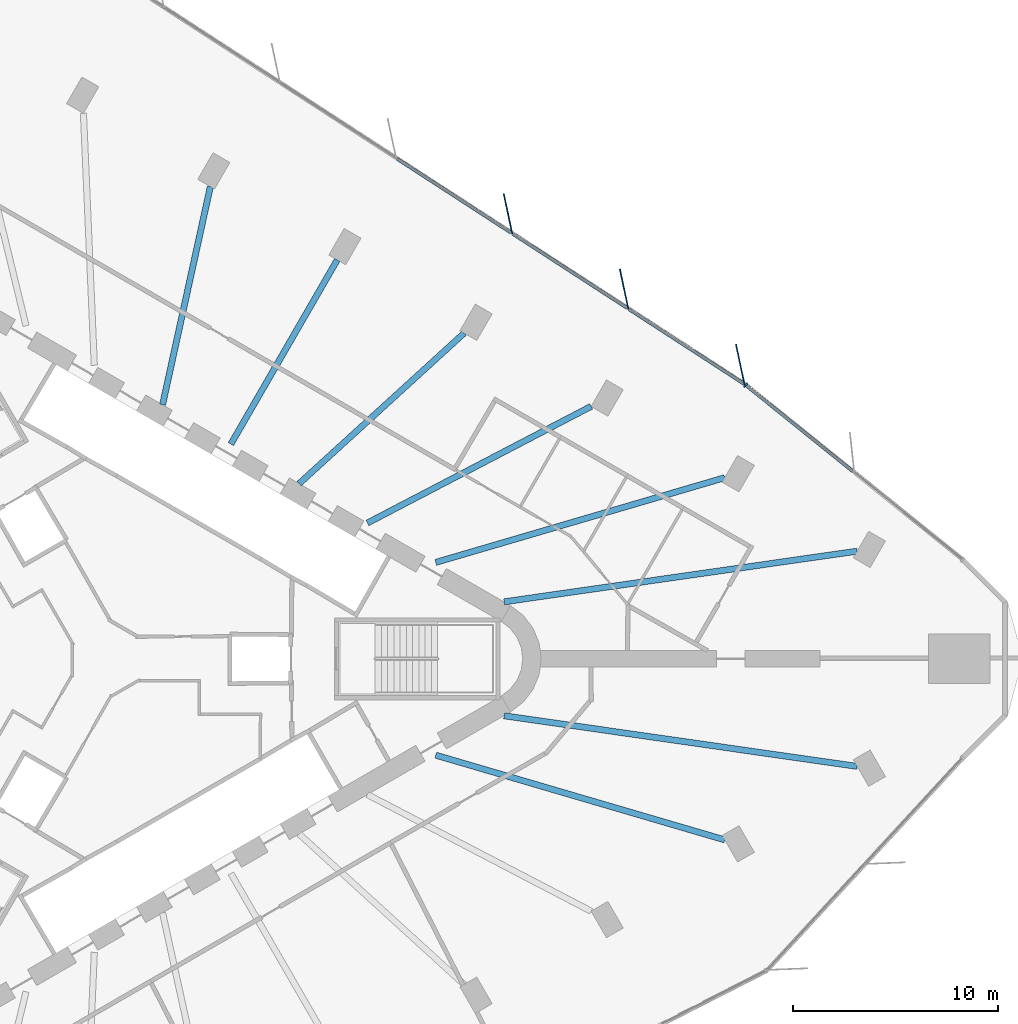
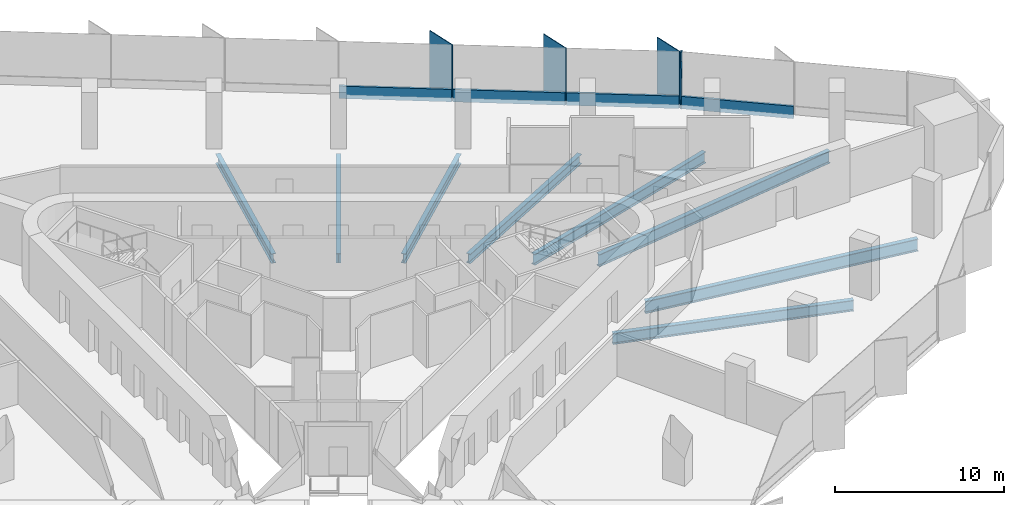
# One storey, part 5 of 14: 8 beams, 8 members, 2 elements without a shape of their own.
"""IFC4 building model written with IfcOpenShell, lengths in metres."""

from ifc_helpers import new_model, si_unit, direction, frame, origin, origin_2d, place, context, subcontext, project, spatial, rectangle, i_section, extrude, material, material_profile, profile_set, type_object, element, aggregate, save


model = new_model("IFC4")

# Units and contexts
model_context = context("Model", 3, precision=1e-05, world=origin(), true_north=direction((0.0, 1.0)))
body_context = subcontext(model_context, "Body", "Model", "MODEL_VIEW")
ifc_project = project(units=[si_unit("LENGTHUNIT", "METRE"), si_unit("AREAUNIT", "SQUARE_METRE"), si_unit("VOLUMEUNIT", "CUBIC_METRE"), si_unit("PLANEANGLEUNIT", "RADIAN"), si_unit("MASSUNIT", "GRAM", prefix="KILO")], contexts=[model_context])

# Site, building, storey
site_placement = place(None, origin())
site = spatial("IfcSite", under=ifc_project, at=site_placement, CompositionType="ELEMENT")
building_placement = place(site_placement, origin())
building = spatial("IfcBuilding", under=site, at=building_placement, Name="Tanit Gate Tower", CompositionType="ELEMENT")
storey_placement = place(building_placement, frame((0.0, 0.0, 78.300048828125)))
storey = spatial("IfcBuildingStorey", under=building, at=storey_placement, Name="L15", CompositionType="ELEMENT", Elevation=78.300048828125)

# Curtain wall, members
ifc_material_1 = material(Name="Aluminium bronze anodised and glass", Category="aluminium")
curtain_wall_type = type_object("IfcCurtainWallType", Name="Curtain wall typical low", PredefinedType="NOTDEFINED", material=ifc_material_1)
curtain_wall_1_placement = place(storey_placement, origin())
curtain_wall_1 = element("IfcCurtainWall", 1, at=curtain_wall_1_placement, inside=storey, type_object=curtain_wall_type, Name="Curtain wall L15 NE2", PredefinedType="NOTDEFINED")
ifc_material_2 = material(Name="Aluminium bronze anodised", Category="aluminium")
ifc_material_profile_1 = material_profile(ifc_material_2, rectangle(XDim=2.0, YDim=0.055908203125, at=origin_2d()), Name="56x2000 bronze fin mullion")
ifc_profile_set_1 = profile_set([ifc_material_profile_1], Name="Aluminium bronze anodised")
member_type_1 = type_object("IfcMemberType", Name="FIN MULLION 56x2000 bronze", PredefinedType="MULLION", material=ifc_profile_set_1)
member_1_placement = place(storey_placement, frame((30.916748046875, 14.369384765625, -0.300048828125), z_axis=(0.0, 0.0, 1.0), x_axis=(0.208373118697, -0.978049407445, 0.0)))
member_1 = element("IfcMember", 2, at=member_1_placement, type_object=member_type_1, Name="Fin mullion L15 NE2.1", PredefinedType="MULLION", context=body_context, shape_type="SweptSolid", body=[
    extrude(rectangle(XDim=2.0, YDim=0.055908203125, at=origin_2d()), origin(), (0.0, 0.0, 1.0), 4.10009765625),
])
member_2_placement = place(storey_placement, frame((25.248291015625, 18.046875, -0.300048828125), z_axis=(0.0, 0.0, 1.0), x_axis=(0.208373118697, -0.978049407445, 0.0)))
member_2 = element("IfcMember", 3, at=member_2_placement, type_object=member_type_1, Name="Fin mullion L15 NE2.2", PredefinedType="MULLION", context=body_context, shape_type="SweptSolid", body=[
    extrude(rectangle(XDim=2.0, YDim=0.055908203125, at=origin_2d()), origin(), (0.0, 0.0, 1.0), 4.10009765625),
])
member_3_placement = place(storey_placement, frame((19.579833984375, 21.72412109375, -0.300048828125), z_axis=(0.0, 0.0, 1.0), x_axis=(0.208373118697, -0.978049407445, 0.0)))
member_3 = element("IfcMember", 4, at=member_3_placement, type_object=member_type_1, Name="Fin mullion L15 NE2.3", PredefinedType="MULLION", context=body_context, shape_type="SweptSolid", body=[
    extrude(rectangle(XDim=2.0, YDim=0.055908203125, at=origin_2d()), origin(), (0.0, 0.0, 1.0), 4.10009765625),
])

# Curtain wall, member
curtain_wall_2_placement = place(storey_placement, origin())
curtain_wall_2 = element("IfcCurtainWall", 5, at=curtain_wall_2_placement, inside=storey, type_object=curtain_wall_type, Name="Curtain wall L15 NE1", PredefinedType="NOTDEFINED")
ifc_material_3 = material(Name="Aluminium bronze anodised", Category="aluminium")
ifc_material_profile_2 = material_profile(ifc_material_3, rectangle(XDim=0.239990234375, YDim=0.080078125, at=origin_2d()), Name="80x240 bronze mullion")
ifc_profile_set_2 = profile_set([ifc_material_profile_2], Name="Aluminium bronze anodised")
member_type_2 = type_object("IfcMemberType", Name="Mullion 80x240 typical low", PredefinedType="MULLION", material=ifc_profile_set_2)
member_4_placement = place(storey_placement, frame((31.18505859375, 13.36669921875, -0.300048828125), z_axis=(0.0, 0.0, 1.0), x_axis=(-0.627373717925, -0.77871831753, 0.0)))
member_4 = element("IfcMember", 6, at=member_4_placement, type_object=member_type_2, Name="Mullion L15 NE1.3", PredefinedType="MULLION", context=body_context, shape_type="SweptSolid", body=[
    extrude(rectangle(XDim=0.239990234375, YDim=0.080078125, at=origin_2d()), origin(), (0.0, 0.0, 1.0), 4.10009765625),
])

# Beams
ifc_material_4 = material(Name="Steel S355", Category="steel")
ifc_material_profile_3 = material_profile(ifc_material_4, i_section(OverallWidth=0.300048828125, OverallDepth=0.68994140625, WebThickness=0.014404296875, FlangeThickness=0.027099609375, FilletRadius=0.027099609375, at=origin_2d()), Name="HEA 700")
ifc_profile_set_3 = profile_set([ifc_material_profile_3], Name="Steel S355")
beam_type_1 = type_object("IfcBeamType", Name="RADIAL GIRDER HEA 700 S355", PredefinedType="BEAM", material=ifc_profile_set_3)
beam_1_placement = place(storey_placement, frame((23.635498046875, 12.322021484375, -0.64501953125), z_axis=(-0.886731546417, -0.462284722426, 0.0), x_axis=(0.462284722426, -0.886731546417, 0.0)))
element("IfcBeam", 7, at=beam_1_placement, inside=storey, type_object=beam_type_1, Name="RADIAL GIRDER", PredefinedType="BEAM", context=body_context, shape_type="SweptSolid", body=[
    extrude(i_section(OverallWidth=0.300048828125, OverallDepth=0.68994140625, WebThickness=0.014404296875, FlangeThickness=0.027099609375, FilletRadius=0.027099609375, at=origin_2d()), origin(), (0.0, 0.0, 1.0), 12.31103515625),
])
beam_2_placement = place(storey_placement, frame((17.4375, 15.896728515625, -0.64501953125), z_axis=(-0.73900866501, -0.673695920308, 0.0), x_axis=(0.673695920308, -0.73900866501, 0.0)))
element("IfcBeam", 8, at=beam_2_placement, inside=storey, type_object=beam_type_1, Name="RADIAL GIRDER", PredefinedType="BEAM", context=body_context, shape_type="SweptSolid", body=[
    extrude(i_section(OverallWidth=0.300048828125, OverallDepth=0.68994140625, WebThickness=0.014404296875, FlangeThickness=0.027099609375, FilletRadius=0.027099609375, at=origin_2d()), origin(), (0.0, 0.0, 1.0), 10.896240234375),
])
beam_3_placement = place(storey_placement, frame((11.242919921875, 19.47314453125, -0.64501953125), z_axis=(-0.50000806818, -0.866020745569, 0.0), x_axis=(0.866020745569, -0.50000806818, 0.0)))
element("IfcBeam", 9, at=beam_3_placement, inside=storey, type_object=beam_type_1, Name="RADIAL GIRDER", PredefinedType="BEAM", context=body_context, shape_type="SweptSolid", body=[
    extrude(i_section(OverallWidth=0.300048828125, OverallDepth=0.68994140625, WebThickness=0.014404296875, FlangeThickness=0.027099609375, FilletRadius=0.027099609375, at=origin_2d()), origin(), (0.0, 0.0, 1.0), 10.383544921875),
])
beam_4_placement = place(storey_placement, frame((5.04833984375, 23.049560546875, -0.64501953125), z_axis=(-0.213952125378, -0.976844147265, 0.0), x_axis=(0.976844147265, -0.213952125378, 0.0)))
element("IfcBeam", 10, at=beam_4_placement, inside=storey, type_object=beam_type_1, Name="RADIAL GIRDER", PredefinedType="BEAM", context=body_context, shape_type="SweptSolid", body=[
    extrude(i_section(OverallWidth=0.300048828125, OverallDepth=0.68994140625, WebThickness=0.014404296875, FlangeThickness=0.027099609375, FilletRadius=0.027099609375, at=origin_2d()), origin(), (0.0, 0.0, 1.0), 10.896240234375),
])
ifc_material_5 = material(Name="Steel S355", Category="steel")
ifc_material_profile_4 = material_profile(ifc_material_5, i_section(OverallWidth=0.300048828125, OverallDepth=0.7900390625, WebThickness=0.014892578125, FlangeThickness=0.028076171875, FilletRadius=0.030029296875, at=origin_2d()), Name="HEA 800")
ifc_profile_set_4 = profile_set([ifc_material_profile_4], Name="Steel S355")
beam_type_2 = type_object("IfcBeamType", Name="RADIAL GIRDER HEA 800 S355", PredefinedType="BEAM", material=ifc_profile_set_4)
for number, where, z_axis, x_axis, name in (
    (11, (30.1611328125, -8.841796875, -0.695068359375), (-0.95961764668, 0.28130761131, 0.0), (-0.28130761131, -0.95961764668, 0.0), "RADIAL GIRDER"),
    (12, (30.1611328125, 8.841796875, -0.695068359375), (-0.95961764668, -0.28130761131, 0.0), (0.28130761131, -0.95961764668, 0.0), "RADIAL GIRDER"),
):
    element("IfcBeam", number, at=place(storey_placement, frame(where, z_axis=z_axis, x_axis=x_axis)), inside=storey, type_object=beam_type_2, Name=name, PredefinedType="BEAM", context=body_context, shape_type="SweptSolid", body=[
        extrude(i_section(OverallWidth=0.300048828125, OverallDepth=0.7900390625, WebThickness=0.014892578125, FlangeThickness=0.028076171875, FilletRadius=0.030029296875, at=origin_2d()), origin(), (0.0, 0.0, 1.0), 14.701904296875),
    ])
ifc_material_6 = material(Name="Steel S355", Category="steel")
ifc_material_profile_5 = material_profile(ifc_material_6, i_section(OverallWidth=0.300048828125, OverallDepth=0.889892578125, WebThickness=0.01611328125, FlangeThickness=0.030029296875, FilletRadius=0.030029296875, at=origin_2d()), Name="HEA 900")
ifc_profile_set_5 = profile_set([ifc_material_profile_5], Name="Steel S355")
beam_type_3 = type_object("IfcBeamType", Name="RADIAL GIRDER HEA 900 S355", PredefinedType="BEAM", material=ifc_profile_set_5)
for number, where, z_axis, x_axis, name in (
    (13, (36.62451171875, -5.25390625, -0.7451171875), (-0.989867733674, 0.141992499209, 0.0), (-0.141992499209, -0.989867733674, 0.0), "RADIAL GIRDER"),
    (14, (36.62451171875, 5.25390625, -0.7451171875), (-0.989867733674, -0.141992499209, 0.0), (0.141992499209, -0.989867733674, 0.0), "RADIAL GIRDER"),
):
    element("IfcBeam", number, at=place(storey_placement, frame(where, z_axis=z_axis, x_axis=x_axis)), inside=storey, type_object=beam_type_3, Name=name, PredefinedType="BEAM", context=body_context, shape_type="SweptSolid", body=[
        extrude(i_section(OverallWidth=0.300048828125, OverallDepth=0.889892578125, WebThickness=0.01611328125, FlangeThickness=0.030029296875, FilletRadius=0.030029296875, at=origin_2d()), origin(), (0.0, 0.0, 1.0), 17.4140625),
    ])

# Member
ifc_material_7 = material(Name="Aluminium bronze anodised", Category="aluminium")
ifc_material_profile_6 = material_profile(ifc_material_7, rectangle(XDim=0.159912109375, YDim=0.89990234375, at=origin_2d()), Name="160x900 bronze transom")
ifc_profile_set_6 = profile_set([ifc_material_profile_6], Name="Aluminium bronze anodised")
member_type_3 = type_object("IfcMemberType", Name="Transom 160x900 typical low", PredefinedType="USERDEFINED", material=ifc_profile_set_6)
member_5_placement = place(storey_placement, frame((36.44970703125, 9.125, 0.14990234375), z_axis=(-0.778712992198, 0.627380327856, 0.0), x_axis=(-0.627380327856, -0.778712992198, 0.0)))
member_5 = element("IfcMember", 15, at=member_5_placement, type_object=member_type_3, Name="Transom L15 NE1.2", ObjectType="TRANSOM", PredefinedType="USERDEFINED", context=body_context, shape_type="SweptSolid", body=[
    extrude(rectangle(XDim=0.159912109375, YDim=0.89990234375, at=origin_2d()), origin(), (0.0, 0.0, 1.0), 6.720947265625),
])

aggregate(curtain_wall_2, [member_4, member_5])

member_6_placement = place(storey_placement, frame((31.086669921875, 13.435302734375, 0.14990234375), z_axis=(-0.838926994438, 0.544243969194, 0.0), x_axis=(-0.544243969194, -0.838926994438, 0.0)))
member_6 = element("IfcMember", 16, at=member_6_placement, type_object=member_type_3, Name="Transom L15 NE2.1", ObjectType="TRANSOM", PredefinedType="USERDEFINED", context=body_context, shape_type="SweptSolid", body=[
    extrude(rectangle(XDim=0.159912109375, YDim=0.89990234375, at=origin_2d()), origin(), (0.0, 0.0, 1.0), 6.6767578125),
])

member_7_placement = place(storey_placement, frame((25.41845703125, 17.112548828125, 0.14990234375), z_axis=(-0.838926994438, 0.544243969194, 0.0), x_axis=(-0.544243969194, -0.838926994438, 0.0)))
member_7 = element("IfcMember", 17, at=member_7_placement, type_object=member_type_3, Name="Transom L15 NE2.2", ObjectType="TRANSOM", PredefinedType="USERDEFINED", context=body_context, shape_type="SweptSolid", body=[
    extrude(rectangle(XDim=0.159912109375, YDim=0.89990234375, at=origin_2d()), origin(), (0.0, 0.0, 1.0), 6.6767578125),
])

member_8_placement = place(storey_placement, frame((19.75, 20.789794921875, 0.14990234375), z_axis=(-0.838926994438, 0.544243969194, 0.0), x_axis=(-0.544243969194, -0.838926994438, 0.0)))
member_8 = element("IfcMember", 18, at=member_8_placement, type_object=member_type_3, Name="Transom L15 NE2.3", ObjectType="TRANSOM", PredefinedType="USERDEFINED", context=body_context, shape_type="SweptSolid", body=[
    extrude(rectangle(XDim=0.159912109375, YDim=0.89990234375, at=origin_2d()), origin(), (0.0, 0.0, 1.0), 6.6767578125),
])

aggregate(curtain_wall_1, [member_1, member_2, member_3, member_6, member_7, member_8])

save(model, "model.ifc")
